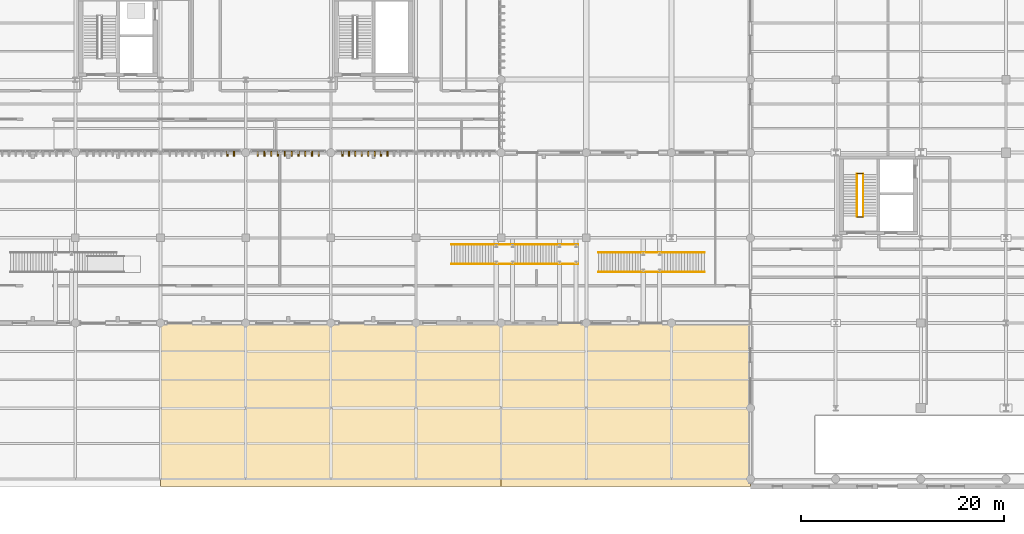
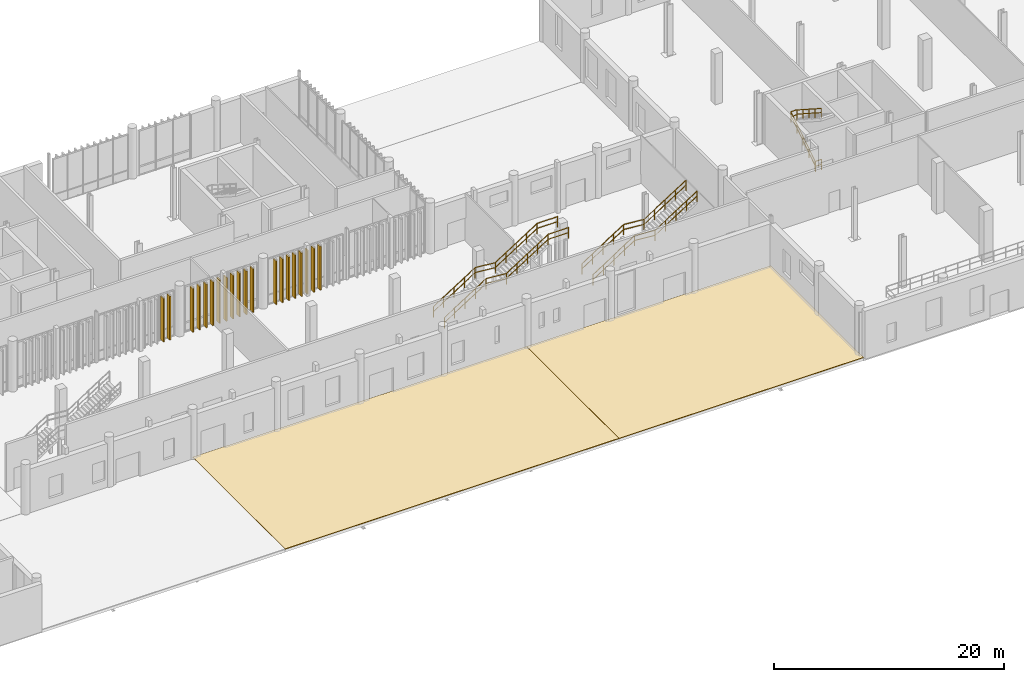
# One storey, part 105 of 112: 22 coverings, 8 railings, 2 elements without a shape of their own.
"""IFC4 building model written with IfcOpenShell, lengths in metres."""

import ifcopenshell
import ifcopenshell.guid

model = None  # the IFC model being written
_history = None  # IfcOwnerHistory: only IFC2X3 demands one
_inside = {}  # id of a spatial element -> (the spatial element, [elements in it])
_under = {}  # id of a project, library or spatial element -> (it, [spatial elements below it])
_declared = {}  # id of a project -> (the project, [libraries it declares])
_typed = {}  # id of a type object -> (the type object, [elements of that type])
_made_of = {}  # id of a material, layer set ... -> (it, [elements and type objects made of it])


def new_model(schema):
    """Start an empty IFC model of exactly this schema.

    Asked for "IFC4X3", IfcOpenShell would pick the latest addendum, in which some entities
    have other attributes; the version numbers below select the first issue.
    IFC2X3 requires an IfcOwnerHistory on every rooted entity: one is made here for all.
    """
    global model, _history
    if schema == "IFC4X3":
        model = ifcopenshell.file(schema_version=(4, 3, 0, 0))
    else:
        model = ifcopenshell.file(schema=schema)
    _inside.clear()
    _under.clear()
    _declared.clear()
    _typed.clear()
    _made_of.clear()
    _history = None
    if model.schema == "IFC2X3":
        org = make("IfcOrganization", Name="unknown")
        user = make(
            "IfcPersonAndOrganization",
            ThePerson=make("IfcPerson", FamilyName="unknown"),
            TheOrganization=org,
        )
        app = make(
            "IfcApplication",
            ApplicationDeveloper=org,
            Version="unknown",
            ApplicationFullName="unknown",
            ApplicationIdentifier="unknown",
        )
        _history = make(
            "IfcOwnerHistory",
            OwningUser=user,
            OwningApplication=app,
            ChangeAction="ADDED",
            CreationDate=0,
        )
    return model


def make(cls, **values):
    """One entity of the class cls with the attributes given. An attribute that is None is left unset."""
    return model.create_entity(
        cls, **{name: value for name, value in values.items() if value is not None}
    )


def rooted(cls, **values):
    """An entity with a GlobalId (a new one), such as an element, a storey or a relation."""
    return make(cls, GlobalId=ifcopenshell.guid.new(), OwnerHistory=_history, **values)


def si_unit(unit_type, name, prefix=None):
    """IfcSIUnit, for example si_unit("LENGTHUNIT", "METRE", prefix="MILLI")."""
    return make("IfcSIUnit", UnitType=unit_type, Prefix=prefix, Name=name)


def assignment(units):
    """IfcUnitAssignment: the units of a project."""
    return None if units is None else make("IfcUnitAssignment", Units=units)


def point(xyz):
    """IfcCartesianPoint."""
    return None if xyz is None else make("IfcCartesianPoint", Coordinates=xyz)


def direction(xyz):
    """IfcDirection."""
    return None if xyz is None else make("IfcDirection", DirectionRatios=xyz)


def frame(location, z_axis=None, x_axis=None):
    """IfcAxis2Placement3D, a coordinate frame: its origin and axes. An axis left out is left unset."""
    return make(
        "IfcAxis2Placement3D",
        Location=point(location),
        Axis=direction(z_axis),
        RefDirection=direction(x_axis),
    )


def frame_2d(location, x_axis=None):
    """IfcAxis2Placement2D, a coordinate frame in the plane: its origin and x axis."""
    return make(
        "IfcAxis2Placement2D", Location=point(location), RefDirection=direction(x_axis)
    )


def origin_with_axes():
    """The frame at (0, 0, 0) with the z axis (0, 0, 1) and the x axis (1, 0, 0) written out."""
    return frame((0.0, 0.0, 0.0), z_axis=(0.0, 0.0, 1.0), x_axis=(1.0, 0.0, 0.0))


def origin_2d_with_axis():
    """The frame at (0, 0) in the plane with the x axis (1, 0) written out."""
    return frame_2d((0.0, 0.0), x_axis=(1.0, 0.0))


def place(relative_to, where):
    """IfcLocalPlacement: puts the frame where relative to a parent placement (None: the world)."""
    return make(
        "IfcLocalPlacement", PlacementRelTo=relative_to, RelativePlacement=where
    )


def context(
    kind, dimensions, precision=None, world=None, true_north=None, identifier=None
):
    """IfcGeometricRepresentationContext, for example the 3D "Model" context."""
    return make(
        "IfcGeometricRepresentationContext",
        ContextIdentifier=identifier,
        ContextType=kind,
        CoordinateSpaceDimension=dimensions,
        Precision=precision,
        WorldCoordinateSystem=world,
        TrueNorth=true_north,
    )


def subcontext(parent, identifier, kind, view, scale=None):
    """IfcGeometricRepresentationSubContext, for example "Body" below "Model"."""
    return make(
        "IfcGeometricRepresentationSubContext",
        ContextIdentifier=identifier,
        ContextType=kind,
        ParentContext=parent,
        TargetScale=scale,
        TargetView=view,
    )


def project(units=None, contexts=None):
    """IfcProject with its units and contexts."""
    return rooted(
        "IfcProject",
        Name="project",
        RepresentationContexts=contexts,
        UnitsInContext=assignment(units),
    )


def spatial(cls, under=None, at=None, **own):
    """A site, building, storey or space (cls), placed at a placement, below another one or the project."""
    s = rooted(cls, ObjectPlacement=at, **own)
    if under is not None:
        _under.setdefault(under.id(), (under, []))[1].append(s)
    return s


def polyline(points):
    """IfcPolyline through the points."""
    return make("IfcPolyline", Points=[point(p) for p in points])


def profile(cls, at=None, kind="AREA", **sizes):
    """A parametric profile (cls). Its sizes go by their IFC names, for example OverallWidth=200.0."""
    return make(cls, ProfileType=kind, Position=at, **sizes)


def rectangle(**sizes):
    """IfcRectangleProfileDef."""
    return profile("IfcRectangleProfileDef", **sizes)


def circle(**sizes):
    """IfcCircleProfileDef."""
    return profile("IfcCircleProfileDef", **sizes)


def outline(outer, holes=None, kind="AREA"):
    """IfcArbitraryClosedProfileDef: a profile drawn as a closed curve; with holes, ...WithVoids."""
    if holes is None:
        return make("IfcArbitraryClosedProfileDef", ProfileType=kind, OuterCurve=outer)
    return make(
        "IfcArbitraryProfileDefWithVoids",
        ProfileType=kind,
        OuterCurve=outer,
        InnerCurves=holes,
    )


def extrude(swept, where, along, depth):
    """IfcExtrudedAreaSolid: the profile swept, set in the frame where, extruded along a direction by depth."""
    return make(
        "IfcExtrudedAreaSolid",
        SweptArea=swept,
        Position=where,
        ExtrudedDirection=direction(along),
        Depth=depth,
    )


def shape(context_of_items, identifier, shape_type, items):
    """IfcShapeRepresentation: the items that make up one representation, for example the "Body"."""
    return make(
        "IfcShapeRepresentation",
        ContextOfItems=context_of_items,
        RepresentationIdentifier=identifier,
        RepresentationType=shape_type,
        Items=items,
    )


def material(Name=None, Category=None):
    """IfcMaterial."""
    return make("IfcMaterial", Name=Name, Category=Category)


def made_of(thing, what):
    """Note that an element or type object is made of a material, layer set ...; save() writes the relation."""
    if what is not None:
        _made_of.setdefault(what.id(), (what, []))[1].append(thing)
    return thing


def type_object(cls, material=None, **own):
    """A type object (cls), such as IfcWallType, which elements share."""
    return made_of(rooted(cls, **own), material)


def element(
    cls,
    number,
    at=None,
    inside=None,
    cuts=None,
    type_object=None,
    material=None,
    context=None,
    identifier="Body",
    shape_type=None,
    held_by="IfcProductDefinitionShape",
    body=None,
    shapes=None,
    **own,
):
    """One element of the class cls, such as IfcWall. Its Tag is "e" and its number.

    at: its placement. inside: the storey or other place that contains it. cuts: it is an
    opening in that element (IfcRelVoidsElement). A single representation is given by context,
    identifier, shape_type and body (its items); several are given by shapes. held_by: the class
    of the entity that holds the representations. save() writes the other relations.
    """
    e = rooted(cls, Tag="e%d" % number, ObjectPlacement=at, **own)
    if body is not None:
        shapes = [shape(context, identifier, shape_type, body)]
    if shapes is not None:
        e.Representation = make(held_by, Representations=shapes)
    if inside is not None:
        _inside.setdefault(inside.id(), (inside, []))[1].append(e)
    if cuts is not None:
        rooted(
            "IfcRelVoidsElement", RelatingBuildingElement=cuts, RelatedOpeningElement=e
        )
    if type_object is not None:
        _typed.setdefault(type_object.id(), (type_object, []))[1].append(e)
    return made_of(e, material)


def aggregate(whole, parts):
    """IfcRelAggregates: a whole, such as a stair, and the parts it consists of."""
    return rooted("IfcRelAggregates", RelatingObject=whole, RelatedObjects=parts)


def save(model, path):
    """Write the relations noted so far, then the file.

    IfcRelAggregates (storeys below a building ...), IfcRelContainedInSpatialStructure (elements
    in a storey), IfcRelDefinesByType, IfcRelAssociatesMaterial and IfcRelDeclares: one each for
    every whole, place, type object, material and project.
    """
    for whole, parts in _under.values():
        aggregate(whole, parts)
    for where, things in _inside.values():
        rooted(
            "IfcRelContainedInSpatialStructure",
            RelatedElements=things,
            RelatingStructure=where,
        )
    for kind, things in _typed.values():
        rooted("IfcRelDefinesByType", RelatedObjects=things, RelatingType=kind)
    for what, things in _made_of.values():
        rooted("IfcRelAssociatesMaterial", RelatedObjects=things, RelatingMaterial=what)
    for by, libraries in _declared.values():
        rooted("IfcRelDeclares", RelatingContext=by, RelatedDefinitions=libraries)
    model.write(path)


model = new_model("IFC4")

# Units and contexts
model_context = context("Model", 3, precision=1e-05, world=origin_with_axes(), true_north=direction((0.0, 1.0)))
body_context = subcontext(model_context, "Body", "Model", "MODEL_VIEW")
ifc_project = project(units=[si_unit("LENGTHUNIT", "METRE"), si_unit("AREAUNIT", "SQUARE_METRE"), si_unit("VOLUMEUNIT", "CUBIC_METRE"), si_unit("PLANEANGLEUNIT", "RADIAN"), si_unit("MASSUNIT", "GRAM", prefix="KILO"), si_unit("THERMODYNAMICTEMPERATUREUNIT", "KELVIN")], contexts=[model_context])

# Site, building, storey
site_placement = place(None, origin_with_axes())
site = spatial("IfcSite", under=ifc_project, at=site_placement, CompositionType="ELEMENT")
building_placement = place(site_placement, origin_with_axes())
building = spatial("IfcBuilding", under=site, at=building_placement, Name="Montbau Bow Law Courts", CompositionType="ELEMENT")
storey_placement = place(building_placement, origin_with_axes())
storey = spatial("IfcBuildingStorey", under=building, at=storey_placement, Name="L00", CompositionType="ELEMENT", Elevation=0.0)

# Coverings
ifc_material_1 = material(Name="Freeze-Thaw Glazed Warm Cream Ceramic Vertical Louvre", Category="masonry")
covering_type_1 = type_object("IfcCoveringType", Name="CV-LVR-CRM", PredefinedType="CLADDING", material=ifc_material_1)
for number, where, z_axis, x_axis, name in (
    (1, (70.215, 39.13, 0.0), (-1.0, 0.0, 0.0), (0.0, -1.0, 0.0), "CLV-L00-1114:cov_1159"),
    (2, (70.85, 39.13, 0.0), (-1.0, 0.0, 0.0), (0.0, -1.0, 0.0), "CLV-L00-1115:cov_1160"),
    (3, (73.185, 39.13, 0.0), (-1.0, 0.0, 0.0), (0.0, -1.0, 0.0), "CLV-L00-1116:cov_1161"),
    (4, (73.855, 39.13, 0.0), (-1.0, 0.0, 0.0), (0.0, -1.0, 0.0), "CLV-L00-1117:cov_1162"),
    (5, (74.525, 39.13, 0.0), (-1.0, 0.0, 0.0), (0.0, -1.0, 0.0), "CLV-L00-1118:cov_1163"),
    (6, (75.195, 39.13, 0.0), (-1.0, 0.0, 0.0), (0.0, -1.0, 0.0), "CLV-L00-1119:cov_1164"),
    (7, (75.865, 39.13, 0.0), (-1.0, 0.0, 0.0), (0.0, -1.0, 0.0), "CLV-L00-1120:cov_1165"),
    (8, (76.535, 39.13, 0.0), (-1.0, 0.0, 0.0), (0.0, -1.0, 0.0), "CLV-L00-1121:cov_1166"),
    (9, (77.205, 39.13, 0.0), (-1.0, 0.0, 0.0), (0.0, -1.0, 0.0), "CLV-L00-1122:cov_1167"),
    (10, (77.875, 39.13, 0.0), (-1.0, 0.0, 0.0), (0.0, -1.0, 0.0), "CLV-L00-1123:cov_1168"),
    (11, (78.545, 39.13, 0.0), (-1.0, 0.0, 0.0), (0.0, -1.0, 0.0), "CLV-L00-1124:cov_1169"),
    (12, (79.215, 39.13, 0.0), (-1.0, 0.0, 0.0), (0.0, -1.0, 0.0), "CLV-L00-1125:cov_1170"),
    (13, (81.55, 39.13, 0.0), (-1.0, 0.0, 0.0), (0.0, -1.0, 0.0), "CLV-L00-1126:cov_1171"),
    (14, (82.184, 39.13, 0.0), (-1.0, 0.0, 0.0), (0.0, -1.0, 0.0), "CLV-L00-1127:cov_1172"),
    (15, (82.819, 39.13, 0.0), (-1.0, 0.0, 0.0), (0.0, -1.0, 0.0), "CLV-L00-1128:cov_1173"),
    (16, (83.454, 39.13, 0.0), (-1.0, 0.0, 0.0), (0.0, -1.0, 0.0), "CLV-L00-1129:cov_1174"),
    (17, (84.089, 39.13, 0.0), (-1.0, 0.0, 0.0), (0.0, -1.0, 0.0), "CLV-L00-1130:cov_1175"),
    (18, (84.723, 39.13, 0.0), (-1.0, 0.0, 0.0), (0.0, -1.0, 0.0), "CLV-L00-1131:cov_1176"),
    (19, (85.358, 39.13, 0.0), (-1.0, 0.0, 0.0), (0.0, -1.0, 0.0), "CLV-L00-1132:cov_1177"),
    (20, (85.993, 39.13, 0.0), (-1.0, 0.0, 0.0), (0.0, -1.0, 0.0), "CLV-L00-1133:cov_1178"),
):
    element("IfcCovering", number, at=place(None, frame(where, z_axis=z_axis, x_axis=x_axis)), inside=storey, type_object=covering_type_1, Name=name, PredefinedType="CLADDING", context=body_context, shape_type="SweptSolid", body=[
        extrude(rectangle(XDim=0.48, YDim=4.64, at=frame_2d((0.24, 2.32), x_axis=(1.0, 0.0))), frame((0.0, 0.0, -0.06), z_axis=(0.0, 0.0, 1.0), x_axis=(1.0, 0.0, 0.0)), (0.0, 0.0, 1.0), 0.12),
    ])

# Roof, covering
ifc_material_2 = material(Name="Insulated Inverted Membrane Roof", Category="other")
roof_type = type_object("IfcRoofType", Name="RF-FL-01", PredefinedType="FLAT_ROOF", material=ifc_material_2)
roof_1_placement = place(None, frame((63.604, 6.08, 0.0), z_axis=(0.0, 0.0, 1.0), x_axis=(1.0, 0.0, 0.0)))
roof_1 = element("IfcRoof", 21, at=roof_1_placement, inside=storey, type_object=roof_type, Name="ROOF-LID-L00-02:rof_0007", PredefinedType="FLAT_ROOF")
ifc_material_3 = material(Name="Standing-Seam Pre-Weathered Zinc Roofing Membrane", Category="steel")
covering_type_2 = type_object("IfcCoveringType", Name="CV-ROF-01", PredefinedType="ROOFING", material=ifc_material_3)
covering_1_placement = place(None, origin_with_axes())
covering_1 = element("IfcCovering", 22, at=covering_1_placement, type_object=covering_type_2, Name="CVR-LID-L00-02:cov_0007", PredefinedType="ROOFING", context=body_context, shape_type="SweptSolid", body=[
    extrude(outline(polyline([(63.604, 6.08), (63.604, 22.196), (97.196, 22.196), (97.196, 6.08), (63.604, 6.08)])), origin_with_axes(), (0.0, 0.0, 1.0), 0.06),
])
aggregate(roof_1, [covering_1])

roof_2_placement = place(None, frame((97.204, 6.08, 0.0), z_axis=(0.0, 0.0, 1.0), x_axis=(1.0, 0.0, 0.0)))
roof_2 = element("IfcRoof", 23, at=roof_2_placement, inside=storey, type_object=roof_type, Name="ROOF-LID-L00-03:rof_0008", PredefinedType="FLAT_ROOF")
covering_2_placement = place(None, origin_with_axes())
covering_2 = element("IfcCovering", 24, at=covering_2_placement, type_object=covering_type_2, Name="CVR-LID-L00-03:cov_0008", PredefinedType="ROOFING", context=body_context, shape_type="SweptSolid", body=[
    extrude(outline(polyline([(121.796, 6.08), (97.204, 6.08), (97.204, 22.196), (121.796, 22.196), (121.796, 6.08)])), origin_with_axes(), (0.0, 0.0, 1.0), 0.06),
])
aggregate(roof_2, [covering_2])

# Railings
ifc_material_4 = material(Name="Architectural Bronze-Finished Steel Stair Guard", Category="steel")
railing_type_1 = type_object("IfcRailingType", Name="RL-GRD-1100", PredefinedType="GUARDRAIL", material=ifc_material_4)
railing_1_placement = place(None, origin_with_axes())
element("IfcRailing", 25, at=railing_1_placement, inside=storey, type_object=railing_type_1, Name="SG-ST-C1-L00-ML:rlg_0250", PredefinedType="GUARDRAIL", context=body_context, shape_type="SweptSolid", body=[
    extrude(circle(Radius=0.0225, at=origin_2d_with_axis()), frame((132.305, 36.93, 3.802), z_axis=(1.0, 0.0, 0.0), x_axis=(0.0, 0.0, 1.0)), (0.0, 0.0, 1.0), 0.615),
    extrude(circle(Radius=0.02025, at=origin_2d_with_axis()), frame((132.305, 36.93, 3.272), z_axis=(1.0, 0.0, 0.0), x_axis=(0.0, 0.0, 1.0)), (0.0, 0.0, 1.0), 0.615),
    extrude(circle(Radius=0.02025, at=origin_2d_with_axis()), frame((132.305, 36.93, 2.7), z_axis=(0.0, 0.0, 1.0), x_axis=(1.0, 0.0, 0.0)), (0.0, 0.0, 1.0), 1.07525),
    extrude(circle(Radius=0.02025, at=origin_2d_with_axis()), frame((132.92, 36.93, 2.7), z_axis=(0.0, 0.0, 1.0), x_axis=(1.0, 0.0, 0.0)), (0.0, 0.0, 1.0), 1.07525),
])
railing_2_placement = place(None, origin_with_axes())
element("IfcRailing", 26, at=railing_2_placement, inside=storey, type_object=railing_type_1, Name="SG-ST-C1-L00-BL:rlg_0251", PredefinedType="GUARDRAIL", context=body_context, shape_type="SweptSolid", body=[
    extrude(circle(Radius=0.0225, at=origin_2d_with_axis()), frame((132.305, 32.67, 1.102), z_axis=(1.0, 0.0, 0.0), x_axis=(0.0, 0.0, 1.0)), (0.0, 0.0, 1.0), 0.615),
    extrude(circle(Radius=0.02025, at=origin_2d_with_axis()), frame((132.305, 32.67, 0.572), z_axis=(1.0, 0.0, 0.0), x_axis=(0.0, 0.0, 1.0)), (0.0, 0.0, 1.0), 0.615),
    extrude(circle(Radius=0.02025, at=origin_2d_with_axis()), frame((132.305, 32.67, 0.0), z_axis=(0.0, 0.0, 1.0), x_axis=(1.0, 0.0, 0.0)), (0.0, 0.0, 1.0), 1.07525),
    extrude(circle(Radius=0.02025, at=origin_2d_with_axis()), frame((132.92, 32.67, 0.0), z_axis=(0.0, 0.0, 1.0), x_axis=(1.0, 0.0, 0.0)), (0.0, 0.0, 1.0), 1.07525),
])
railing_3_placement = place(None, origin_with_axes())
element("IfcRailing", 27, at=railing_3_placement, inside=storey, type_object=railing_type_1, Name="SG-ST-GRD-02-S:rlg_0274", PredefinedType="GUARDRAIL", context=body_context, shape_type="SweptSolid", body=[
    extrude(circle(Radius=0.0225, at=origin_2d_with_axis()), frame((106.8, 27.24, 1.282), z_axis=(0.841178475, 0.0, 0.540757591), x_axis=(-0.540757591, 0.0, 0.841178475)), (0.0, 0.0, 1.0), 4.963745),
    extrude(circle(Radius=0.02025, at=origin_2d_with_axis()), frame((106.8, 27.24, 0.752), z_axis=(0.841178475, 0.0, 0.540757591), x_axis=(-0.540757591, 0.0, 0.841178475)), (0.0, 0.0, 1.0), 4.963745),
    extrude(circle(Radius=0.02025, at=origin_2d_with_axis()), frame((106.8, 27.24, 0.18), z_axis=(0.0, 0.0, 1.0), x_axis=(1.0, 0.0, 0.0)), (0.0, 0.0, 1.0), 1.07525),
    extrude(circle(Radius=0.02025, at=origin_2d_with_axis()), frame((107.85, 27.24, 0.855), z_axis=(0.0, 0.0, 1.0), x_axis=(1.0, 0.0, 0.0)), (0.0, 0.0, 1.0), 1.07525),
    extrude(circle(Radius=0.02025, at=origin_2d_with_axis()), frame((108.9, 27.24, 1.53), z_axis=(0.0, 0.0, 1.0), x_axis=(1.0, 0.0, 0.0)), (0.0, 0.0, 1.0), 1.07525),
    extrude(circle(Radius=0.02025, at=origin_2d_with_axis()), frame((109.95, 27.24, 2.205), z_axis=(0.0, 0.0, 1.0), x_axis=(1.0, 0.0, 0.0)), (0.0, 0.0, 1.0), 1.07525),
    extrude(circle(Radius=0.02025, at=origin_2d_with_axis()), frame((111.0, 27.24, 2.88), z_axis=(0.0, 0.0, 1.0), x_axis=(1.0, 0.0, 0.0)), (0.0, 0.0, 1.0), 1.07525),
    extrude(circle(Radius=0.0225, at=origin_2d_with_axis()), frame((111.029138, 27.24, 3.979442), z_axis=(0.996167299, 0.0, -0.087468348), x_axis=(0.087468348, 0.0, 0.996167299)), (0.0, 0.0, 1.0), 1.999387),
    extrude(circle(Radius=0.02025, at=origin_2d_with_axis()), frame((111.029138, 27.24, 3.449442), z_axis=(0.996167299, 0.0, -0.087468348), x_axis=(0.087468348, 0.0, 0.996167299)), (0.0, 0.0, 1.0), 1.999387),
    extrude(circle(Radius=0.02025, at=origin_2d_with_axis()), frame((113.05, 27.24, 2.7), z_axis=(0.0, 0.0, 1.0), x_axis=(1.0, 0.0, 0.0)), (0.0, 0.0, 1.0), 1.07525),
    extrude(circle(Radius=0.0225, at=origin_2d_with_axis()), frame((113.074604, 27.24, 3.817817), z_axis=(0.841178475, 0.0, 0.540757591), x_axis=(-0.540757591, 0.0, 0.841178475)), (0.0, 0.0, 1.0), 4.963745),
    extrude(circle(Radius=0.02025, at=origin_2d_with_axis()), frame((113.074604, 27.24, 3.287817), z_axis=(0.841178475, 0.0, 0.540757591), x_axis=(-0.540757591, 0.0, 0.841178475)), (0.0, 0.0, 1.0), 4.963745),
    extrude(circle(Radius=0.02025, at=origin_2d_with_axis()), frame((114.1, 27.24, 3.375), z_axis=(0.0, 0.0, 1.0), x_axis=(1.0, 0.0, 0.0)), (0.0, 0.0, 1.0), 1.07525),
    extrude(circle(Radius=0.02025, at=origin_2d_with_axis()), frame((115.15, 27.24, 4.05), z_axis=(0.0, 0.0, 1.0), x_axis=(1.0, 0.0, 0.0)), (0.0, 0.0, 1.0), 1.07525),
    extrude(circle(Radius=0.02025, at=origin_2d_with_axis()), frame((116.2, 27.24, 4.725), z_axis=(0.0, 0.0, 1.0), x_axis=(1.0, 0.0, 0.0)), (0.0, 0.0, 1.0), 1.07525),
    extrude(circle(Radius=0.02025, at=origin_2d_with_axis()), frame((117.25, 27.24, 5.4), z_axis=(0.0, 0.0, 1.0), x_axis=(1.0, 0.0, 0.0)), (0.0, 0.0, 1.0), 1.07525),
])
railing_4_placement = place(None, origin_with_axes())
element("IfcRailing", 28, at=railing_4_placement, inside=storey, type_object=railing_type_1, Name="SG-ST-GRD-02-N:rlg_0275", PredefinedType="GUARDRAIL", context=body_context, shape_type="SweptSolid", body=[
    extrude(circle(Radius=0.0225, at=origin_2d_with_axis()), frame((106.8, 29.16, 1.282), z_axis=(0.841178475, 0.0, 0.540757591), x_axis=(-0.540757591, 0.0, 0.841178475)), (0.0, 0.0, 1.0), 4.963745),
    extrude(circle(Radius=0.02025, at=origin_2d_with_axis()), frame((106.8, 29.16, 0.752), z_axis=(0.841178475, 0.0, 0.540757591), x_axis=(-0.540757591, 0.0, 0.841178475)), (0.0, 0.0, 1.0), 4.963745),
    extrude(circle(Radius=0.02025, at=origin_2d_with_axis()), frame((106.8, 29.16, 0.18), z_axis=(0.0, 0.0, 1.0), x_axis=(1.0, 0.0, 0.0)), (0.0, 0.0, 1.0), 1.07525),
    extrude(circle(Radius=0.02025, at=origin_2d_with_axis()), frame((107.85, 29.16, 0.855), z_axis=(0.0, 0.0, 1.0), x_axis=(1.0, 0.0, 0.0)), (0.0, 0.0, 1.0), 1.07525),
    extrude(circle(Radius=0.02025, at=origin_2d_with_axis()), frame((108.9, 29.16, 1.53), z_axis=(0.0, 0.0, 1.0), x_axis=(1.0, 0.0, 0.0)), (0.0, 0.0, 1.0), 1.07525),
    extrude(circle(Radius=0.02025, at=origin_2d_with_axis()), frame((109.95, 29.16, 2.205), z_axis=(0.0, 0.0, 1.0), x_axis=(1.0, 0.0, 0.0)), (0.0, 0.0, 1.0), 1.07525),
    extrude(circle(Radius=0.02025, at=origin_2d_with_axis()), frame((111.0, 29.16, 2.88), z_axis=(0.0, 0.0, 1.0), x_axis=(1.0, 0.0, 0.0)), (0.0, 0.0, 1.0), 1.07525),
    extrude(circle(Radius=0.0225, at=origin_2d_with_axis()), frame((111.029138, 29.16, 3.979442), z_axis=(0.996167299, 0.0, -0.087468348), x_axis=(0.087468348, 0.0, 0.996167299)), (0.0, 0.0, 1.0), 1.999387),
    extrude(circle(Radius=0.02025, at=origin_2d_with_axis()), frame((111.029138, 29.16, 3.449442), z_axis=(0.996167299, 0.0, -0.087468348), x_axis=(0.087468348, 0.0, 0.996167299)), (0.0, 0.0, 1.0), 1.999387),
    extrude(circle(Radius=0.02025, at=origin_2d_with_axis()), frame((113.05, 29.16, 2.7), z_axis=(0.0, 0.0, 1.0), x_axis=(1.0, 0.0, 0.0)), (0.0, 0.0, 1.0), 1.07525),
    extrude(circle(Radius=0.0225, at=origin_2d_with_axis()), frame((113.074604, 29.16, 3.817817), z_axis=(0.841178475, 0.0, 0.540757591), x_axis=(-0.540757591, 0.0, 0.841178475)), (0.0, 0.0, 1.0), 4.963745),
    extrude(circle(Radius=0.02025, at=origin_2d_with_axis()), frame((113.074604, 29.16, 3.287817), z_axis=(0.841178475, 0.0, 0.540757591), x_axis=(-0.540757591, 0.0, 0.841178475)), (0.0, 0.0, 1.0), 4.963745),
    extrude(circle(Radius=0.02025, at=origin_2d_with_axis()), frame((114.1, 29.16, 3.375), z_axis=(0.0, 0.0, 1.0), x_axis=(1.0, 0.0, 0.0)), (0.0, 0.0, 1.0), 1.07525),
    extrude(circle(Radius=0.02025, at=origin_2d_with_axis()), frame((115.15, 29.16, 4.05), z_axis=(0.0, 0.0, 1.0), x_axis=(1.0, 0.0, 0.0)), (0.0, 0.0, 1.0), 1.07525),
    extrude(circle(Radius=0.02025, at=origin_2d_with_axis()), frame((116.2, 29.16, 4.725), z_axis=(0.0, 0.0, 1.0), x_axis=(1.0, 0.0, 0.0)), (0.0, 0.0, 1.0), 1.07525),
    extrude(circle(Radius=0.02025, at=origin_2d_with_axis()), frame((117.25, 29.16, 5.4), z_axis=(0.0, 0.0, 1.0), x_axis=(1.0, 0.0, 0.0)), (0.0, 0.0, 1.0), 1.07525),
])
railing_5_placement = place(None, origin_with_axes())
element("IfcRailing", 29, at=railing_5_placement, inside=storey, type_object=railing_type_1, Name="SG-ST-GRD-03-S:rlg_0277", PredefinedType="GUARDRAIL", context=body_context, shape_type="SweptSolid", body=[
    extrude(circle(Radius=0.0225, at=origin_2d_with_axis()), frame((92.3, 28.04, 1.282), z_axis=(0.841178475, 0.0, 0.540757591), x_axis=(-0.540757591, 0.0, 0.841178475)), (0.0, 0.0, 1.0), 4.963745),
    extrude(circle(Radius=0.02025, at=origin_2d_with_axis()), frame((92.3, 28.04, 0.752), z_axis=(0.841178475, 0.0, 0.540757591), x_axis=(-0.540757591, 0.0, 0.841178475)), (0.0, 0.0, 1.0), 4.963745),
    extrude(circle(Radius=0.02025, at=origin_2d_with_axis()), frame((92.3, 28.04, 0.18), z_axis=(0.0, 0.0, 1.0), x_axis=(1.0, 0.0, 0.0)), (0.0, 0.0, 1.0), 1.07525),
    extrude(circle(Radius=0.02025, at=origin_2d_with_axis()), frame((93.35, 28.04, 0.855), z_axis=(0.0, 0.0, 1.0), x_axis=(1.0, 0.0, 0.0)), (0.0, 0.0, 1.0), 1.07525),
    extrude(circle(Radius=0.02025, at=origin_2d_with_axis()), frame((94.4, 28.04, 1.53), z_axis=(0.0, 0.0, 1.0), x_axis=(1.0, 0.0, 0.0)), (0.0, 0.0, 1.0), 1.07525),
    extrude(circle(Radius=0.02025, at=origin_2d_with_axis()), frame((95.45, 28.04, 2.205), z_axis=(0.0, 0.0, 1.0), x_axis=(1.0, 0.0, 0.0)), (0.0, 0.0, 1.0), 1.07525),
    extrude(circle(Radius=0.02025, at=origin_2d_with_axis()), frame((96.5, 28.04, 2.88), z_axis=(0.0, 0.0, 1.0), x_axis=(1.0, 0.0, 0.0)), (0.0, 0.0, 1.0), 1.07525),
    extrude(circle(Radius=0.0225, at=origin_2d_with_axis()), frame((96.529138, 28.04, 3.979442), z_axis=(0.996167299, 0.0, -0.087468348), x_axis=(0.087468348, 0.0, 0.996167299)), (0.0, 0.0, 1.0), 1.999387),
    extrude(circle(Radius=0.02025, at=origin_2d_with_axis()), frame((96.529138, 28.04, 3.449442), z_axis=(0.996167299, 0.0, -0.087468348), x_axis=(0.087468348, 0.0, 0.996167299)), (0.0, 0.0, 1.0), 1.999387),
    extrude(circle(Radius=0.02025, at=origin_2d_with_axis()), frame((98.55, 28.04, 2.7), z_axis=(0.0, 0.0, 1.0), x_axis=(1.0, 0.0, 0.0)), (0.0, 0.0, 1.0), 1.07525),
    extrude(circle(Radius=0.0225, at=origin_2d_with_axis()), frame((98.574604, 28.04, 3.817817), z_axis=(0.841178475, 0.0, 0.540757591), x_axis=(-0.540757591, 0.0, 0.841178475)), (0.0, 0.0, 1.0), 4.934495),
    extrude(circle(Radius=0.02025, at=origin_2d_with_axis()), frame((98.574604, 28.04, 3.287817), z_axis=(0.841178475, 0.0, 0.540757591), x_axis=(-0.540757591, 0.0, 0.841178475)), (0.0, 0.0, 1.0), 4.934495),
    extrude(circle(Radius=0.02025, at=origin_2d_with_axis()), frame((99.6, 28.04, 3.375), z_axis=(0.0, 0.0, 1.0), x_axis=(1.0, 0.0, 0.0)), (0.0, 0.0, 1.0), 1.07525),
    extrude(circle(Radius=0.02025, at=origin_2d_with_axis()), frame((100.65, 28.04, 4.05), z_axis=(0.0, 0.0, 1.0), x_axis=(1.0, 0.0, 0.0)), (0.0, 0.0, 1.0), 1.07525),
    extrude(circle(Radius=0.02025, at=origin_2d_with_axis()), frame((101.7, 28.04, 4.725), z_axis=(0.0, 0.0, 1.0), x_axis=(1.0, 0.0, 0.0)), (0.0, 0.0, 1.0), 1.07525),
    extrude(circle(Radius=0.02025, at=origin_2d_with_axis()), frame((102.75, 28.04, 5.4), z_axis=(0.0, 0.0, 1.0), x_axis=(1.0, 0.0, 0.0)), (0.0, 0.0, 1.0), 1.07525),
    extrude(circle(Radius=0.0225, at=origin_2d_with_axis()), frame((102.77925, 28.04, 6.502), z_axis=(1.0, 0.0, 0.0), x_axis=(0.0, 0.0, 1.0)), (0.0, 0.0, 1.0), 2.02075),
    extrude(circle(Radius=0.02025, at=origin_2d_with_axis()), frame((102.77925, 28.04, 5.972), z_axis=(1.0, 0.0, 0.0), x_axis=(0.0, 0.0, 1.0)), (0.0, 0.0, 1.0), 2.02075),
    extrude(circle(Radius=0.02025, at=origin_2d_with_axis()), frame((104.8, 28.04, 5.4), z_axis=(0.0, 0.0, 1.0), x_axis=(1.0, 0.0, 0.0)), (0.0, 0.0, 1.0), 1.07525),
])
railing_6_placement = place(None, origin_with_axes())
element("IfcRailing", 30, at=railing_6_placement, inside=storey, type_object=railing_type_1, Name="SG-ST-GRD-03-N:rlg_0278", PredefinedType="GUARDRAIL", context=body_context, shape_type="SweptSolid", body=[
    extrude(circle(Radius=0.0225, at=origin_2d_with_axis()), frame((92.3, 29.96, 1.282), z_axis=(0.841178475, 0.0, 0.540757591), x_axis=(-0.540757591, 0.0, 0.841178475)), (0.0, 0.0, 1.0), 4.963745),
    extrude(circle(Radius=0.02025, at=origin_2d_with_axis()), frame((92.3, 29.96, 0.752), z_axis=(0.841178475, 0.0, 0.540757591), x_axis=(-0.540757591, 0.0, 0.841178475)), (0.0, 0.0, 1.0), 4.963745),
    extrude(circle(Radius=0.02025, at=origin_2d_with_axis()), frame((92.3, 29.96, 0.18), z_axis=(0.0, 0.0, 1.0), x_axis=(1.0, 0.0, 0.0)), (0.0, 0.0, 1.0), 1.07525),
    extrude(circle(Radius=0.02025, at=origin_2d_with_axis()), frame((93.35, 29.96, 0.855), z_axis=(0.0, 0.0, 1.0), x_axis=(1.0, 0.0, 0.0)), (0.0, 0.0, 1.0), 1.07525),
    extrude(circle(Radius=0.02025, at=origin_2d_with_axis()), frame((94.4, 29.96, 1.53), z_axis=(0.0, 0.0, 1.0), x_axis=(1.0, 0.0, 0.0)), (0.0, 0.0, 1.0), 1.07525),
    extrude(circle(Radius=0.02025, at=origin_2d_with_axis()), frame((95.45, 29.96, 2.205), z_axis=(0.0, 0.0, 1.0), x_axis=(1.0, 0.0, 0.0)), (0.0, 0.0, 1.0), 1.07525),
    extrude(circle(Radius=0.02025, at=origin_2d_with_axis()), frame((96.5, 29.96, 2.88), z_axis=(0.0, 0.0, 1.0), x_axis=(1.0, 0.0, 0.0)), (0.0, 0.0, 1.0), 1.07525),
    extrude(circle(Radius=0.0225, at=origin_2d_with_axis()), frame((96.529138, 29.96, 3.979442), z_axis=(0.996167299, 0.0, -0.087468348), x_axis=(0.087468348, 0.0, 0.996167299)), (0.0, 0.0, 1.0), 1.999387),
    extrude(circle(Radius=0.02025, at=origin_2d_with_axis()), frame((96.529138, 29.96, 3.449442), z_axis=(0.996167299, 0.0, -0.087468348), x_axis=(0.087468348, 0.0, 0.996167299)), (0.0, 0.0, 1.0), 1.999387),
    extrude(circle(Radius=0.02025, at=origin_2d_with_axis()), frame((98.55, 29.96, 2.7), z_axis=(0.0, 0.0, 1.0), x_axis=(1.0, 0.0, 0.0)), (0.0, 0.0, 1.0), 1.07525),
    extrude(circle(Radius=0.0225, at=origin_2d_with_axis()), frame((98.574604, 29.96, 3.817817), z_axis=(0.841178475, 0.0, 0.540757591), x_axis=(-0.540757591, 0.0, 0.841178475)), (0.0, 0.0, 1.0), 4.934495),
    extrude(circle(Radius=0.02025, at=origin_2d_with_axis()), frame((98.574604, 29.96, 3.287817), z_axis=(0.841178475, 0.0, 0.540757591), x_axis=(-0.540757591, 0.0, 0.841178475)), (0.0, 0.0, 1.0), 4.934495),
    extrude(circle(Radius=0.02025, at=origin_2d_with_axis()), frame((99.6, 29.96, 3.375), z_axis=(0.0, 0.0, 1.0), x_axis=(1.0, 0.0, 0.0)), (0.0, 0.0, 1.0), 1.07525),
    extrude(circle(Radius=0.02025, at=origin_2d_with_axis()), frame((100.65, 29.96, 4.05), z_axis=(0.0, 0.0, 1.0), x_axis=(1.0, 0.0, 0.0)), (0.0, 0.0, 1.0), 1.07525),
    extrude(circle(Radius=0.02025, at=origin_2d_with_axis()), frame((101.7, 29.96, 4.725), z_axis=(0.0, 0.0, 1.0), x_axis=(1.0, 0.0, 0.0)), (0.0, 0.0, 1.0), 1.07525),
    extrude(circle(Radius=0.02025, at=origin_2d_with_axis()), frame((102.75, 29.96, 5.4), z_axis=(0.0, 0.0, 1.0), x_axis=(1.0, 0.0, 0.0)), (0.0, 0.0, 1.0), 1.07525),
    extrude(circle(Radius=0.0225, at=origin_2d_with_axis()), frame((102.77925, 29.96, 6.502), z_axis=(1.0, 0.0, 0.0), x_axis=(0.0, 0.0, 1.0)), (0.0, 0.0, 1.0), 2.02075),
    extrude(circle(Radius=0.02025, at=origin_2d_with_axis()), frame((102.77925, 29.96, 5.972), z_axis=(1.0, 0.0, 0.0), x_axis=(0.0, 0.0, 1.0)), (0.0, 0.0, 1.0), 2.02075),
    extrude(circle(Radius=0.02025, at=origin_2d_with_axis()), frame((104.8, 29.96, 5.4), z_axis=(0.0, 0.0, 1.0), x_axis=(1.0, 0.0, 0.0)), (0.0, 0.0, 1.0), 1.07525),
])
ifc_material_5 = material(Name="White-Oak and Stainless Continuous Stair Handrail", Category="steel")
railing_type_2 = type_object("IfcRailingType", Name="RL-HND-0920", PredefinedType="HANDRAIL", material=ifc_material_5)
railing_7_placement = place(None, origin_with_axes())
element("IfcRailing", 31, at=railing_7_placement, inside=storey, type_object=railing_type_2, Name="HR-ST-C1-L00-1:rlg_0252", PredefinedType="HANDRAIL", context=body_context, shape_type="SweptSolid", body=[
    extrude(circle(Radius=0.021, at=origin_2d_with_axis()), frame((132.305, 32.7, 1.102), z_axis=(0.0, 0.841178475, 0.540757591), x_axis=(0.0, -0.540757591, 0.841178475)), (0.0, 0.0, 1.0), 4.992995),
    extrude(circle(Radius=0.0189, at=origin_2d_with_axis()), frame((132.305, 32.7, 0.6584), z_axis=(0.0, 0.841178475, 0.540757591), x_axis=(0.0, -0.540757591, 0.841178475)), (0.0, 0.0, 1.0), 4.992995),
    extrude(circle(Radius=0.0189, at=origin_2d_with_axis()), frame((132.305, 32.7, 0.18), z_axis=(0.0, 0.0, 1.0), x_axis=(1.0, 0.0, 0.0)), (0.0, 0.0, 1.0), 0.8969),
    extrude(circle(Radius=0.0189, at=origin_2d_with_axis()), frame((132.305, 33.75, 0.855), z_axis=(0.0, 0.0, 1.0), x_axis=(1.0, 0.0, 0.0)), (0.0, 0.0, 1.0), 0.8969),
    extrude(circle(Radius=0.0189, at=origin_2d_with_axis()), frame((132.305, 34.8, 1.53), z_axis=(0.0, 0.0, 1.0), x_axis=(1.0, 0.0, 0.0)), (0.0, 0.0, 1.0), 0.8969),
    extrude(circle(Radius=0.0189, at=origin_2d_with_axis()), frame((132.305, 35.85, 2.205), z_axis=(0.0, 0.0, 1.0), x_axis=(1.0, 0.0, 0.0)), (0.0, 0.0, 1.0), 0.8969),
    extrude(circle(Radius=0.0189, at=origin_2d_with_axis()), frame((132.305, 36.9, 2.88), z_axis=(0.0, 0.0, 1.0), x_axis=(1.0, 0.0, 0.0)), (0.0, 0.0, 1.0), 0.8969),
])
railing_8_placement = place(None, origin_with_axes())
element("IfcRailing", 32, at=railing_8_placement, inside=storey, type_object=railing_type_2, Name="HR-ST-C1-L00-2:rlg_0253", PredefinedType="HANDRAIL", context=body_context, shape_type="SweptSolid", body=[
    extrude(circle(Radius=0.021, at=origin_2d_with_axis()), frame((132.92, 36.9, 3.802), z_axis=(0.0, -0.841178475, 0.540757591), x_axis=(0.0, 0.540757591, 0.841178475)), (0.0, 0.0, 1.0), 4.992995),
    extrude(circle(Radius=0.0189, at=origin_2d_with_axis()), frame((132.92, 36.9, 3.3584), z_axis=(0.0, -0.841178475, 0.540757591), x_axis=(0.0, 0.540757591, 0.841178475)), (0.0, 0.0, 1.0), 4.992995),
    extrude(circle(Radius=0.0189, at=origin_2d_with_axis()), frame((132.92, 36.9, 2.88), z_axis=(0.0, 0.0, 1.0), x_axis=(1.0, 0.0, 0.0)), (0.0, 0.0, 1.0), 0.8969),
    extrude(circle(Radius=0.0189, at=origin_2d_with_axis()), frame((132.92, 35.85, 3.555), z_axis=(0.0, 0.0, 1.0), x_axis=(1.0, 0.0, 0.0)), (0.0, 0.0, 1.0), 0.8969),
    extrude(circle(Radius=0.0189, at=origin_2d_with_axis()), frame((132.92, 34.8, 4.23), z_axis=(0.0, 0.0, 1.0), x_axis=(1.0, 0.0, 0.0)), (0.0, 0.0, 1.0), 0.8969),
    extrude(circle(Radius=0.0189, at=origin_2d_with_axis()), frame((132.92, 33.75, 4.905), z_axis=(0.0, 0.0, 1.0), x_axis=(1.0, 0.0, 0.0)), (0.0, 0.0, 1.0), 0.8969),
    extrude(circle(Radius=0.0189, at=origin_2d_with_axis()), frame((132.92, 32.7, 5.58), z_axis=(0.0, 0.0, 1.0), x_axis=(1.0, 0.0, 0.0)), (0.0, 0.0, 1.0), 0.8969),
])

save(model, "model.ifc")
